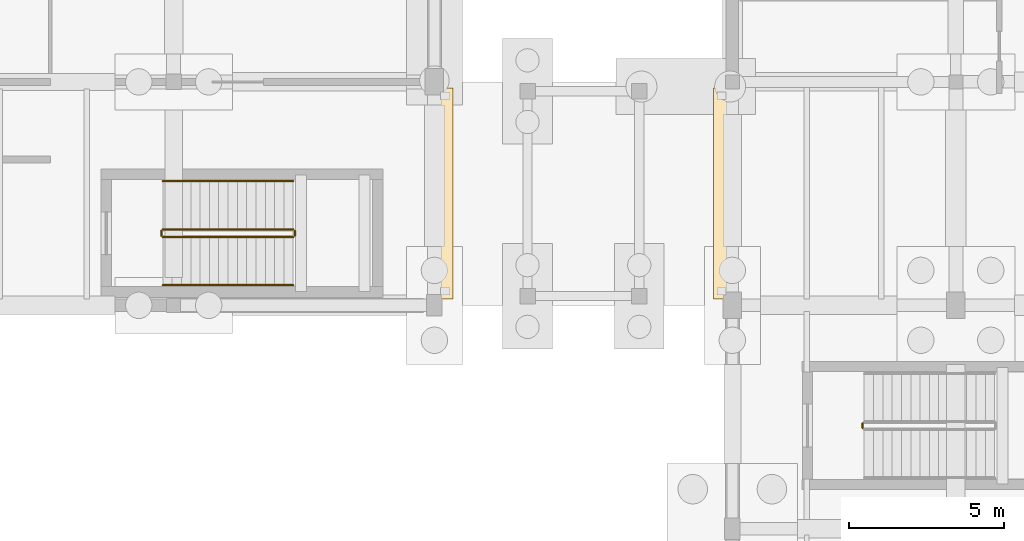
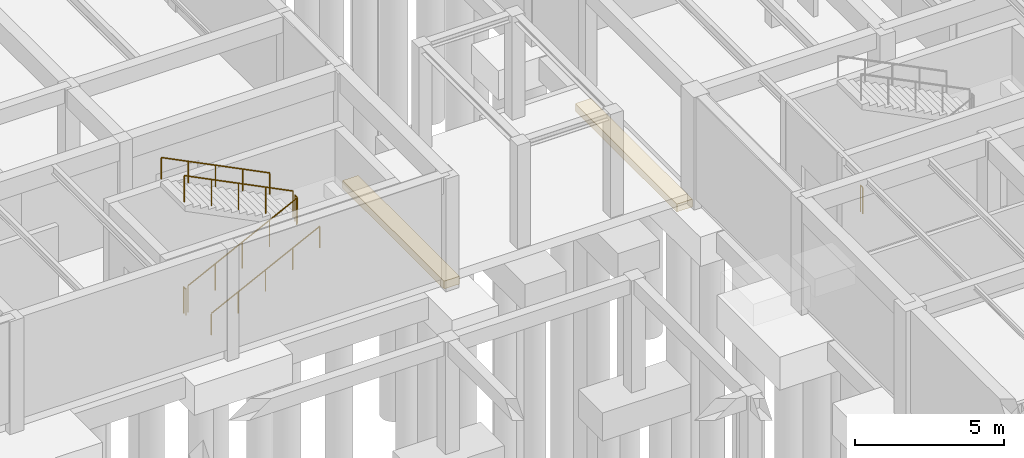
# One storey, part 59 of 63: 7 railings, 2 coverings.
"""IFC4 building model written with IfcOpenShell, lengths in metres."""

import ifcopenshell
import ifcopenshell.guid

model = None  # the IFC model being written
_history = None  # IfcOwnerHistory: only IFC2X3 demands one
_inside = {}  # id of a spatial element -> (the spatial element, [elements in it])
_under = {}  # id of a project, library or spatial element -> (it, [spatial elements below it])
_declared = {}  # id of a project -> (the project, [libraries it declares])
_typed = {}  # id of a type object -> (the type object, [elements of that type])
_made_of = {}  # id of a material, layer set ... -> (it, [elements and type objects made of it])


def new_model(schema):
    """Start an empty IFC model of exactly this schema.

    Asked for "IFC4X3", IfcOpenShell would pick the latest addendum, in which some entities
    have other attributes; the version numbers below select the first issue.
    IFC2X3 requires an IfcOwnerHistory on every rooted entity: one is made here for all.
    """
    global model, _history
    if schema == "IFC4X3":
        model = ifcopenshell.file(schema_version=(4, 3, 0, 0))
    else:
        model = ifcopenshell.file(schema=schema)
    _inside.clear()
    _under.clear()
    _declared.clear()
    _typed.clear()
    _made_of.clear()
    _history = None
    if model.schema == "IFC2X3":
        org = make("IfcOrganization", Name="unknown")
        user = make(
            "IfcPersonAndOrganization",
            ThePerson=make("IfcPerson", FamilyName="unknown"),
            TheOrganization=org,
        )
        app = make(
            "IfcApplication",
            ApplicationDeveloper=org,
            Version="unknown",
            ApplicationFullName="unknown",
            ApplicationIdentifier="unknown",
        )
        _history = make(
            "IfcOwnerHistory",
            OwningUser=user,
            OwningApplication=app,
            ChangeAction="ADDED",
            CreationDate=0,
        )
    return model


def make(cls, **values):
    """One entity of the class cls with the attributes given. An attribute that is None is left unset."""
    return model.create_entity(
        cls, **{name: value for name, value in values.items() if value is not None}
    )


def rooted(cls, **values):
    """An entity with a GlobalId (a new one), such as an element, a storey or a relation."""
    return make(cls, GlobalId=ifcopenshell.guid.new(), OwnerHistory=_history, **values)


def si_unit(unit_type, name, prefix=None):
    """IfcSIUnit, for example si_unit("LENGTHUNIT", "METRE", prefix="MILLI")."""
    return make("IfcSIUnit", UnitType=unit_type, Prefix=prefix, Name=name)


def assignment(units):
    """IfcUnitAssignment: the units of a project."""
    return None if units is None else make("IfcUnitAssignment", Units=units)


def point(xyz):
    """IfcCartesianPoint."""
    return None if xyz is None else make("IfcCartesianPoint", Coordinates=xyz)


def direction(xyz):
    """IfcDirection."""
    return None if xyz is None else make("IfcDirection", DirectionRatios=xyz)


def frame(location, z_axis=None, x_axis=None):
    """IfcAxis2Placement3D, a coordinate frame: its origin and axes. An axis left out is left unset."""
    return make(
        "IfcAxis2Placement3D",
        Location=point(location),
        Axis=direction(z_axis),
        RefDirection=direction(x_axis),
    )


def frame_2d(location, x_axis=None):
    """IfcAxis2Placement2D, a coordinate frame in the plane: its origin and x axis."""
    return make(
        "IfcAxis2Placement2D", Location=point(location), RefDirection=direction(x_axis)
    )


def origin():
    """The frame at (0, 0, 0) with its axes left unset."""
    return frame((0.0, 0.0, 0.0))


def origin_2d():
    """The frame at (0, 0) in the plane with its x axis left unset."""
    return frame_2d((0.0, 0.0))


def place(relative_to, where):
    """IfcLocalPlacement: puts the frame where relative to a parent placement (None: the world)."""
    return make(
        "IfcLocalPlacement", PlacementRelTo=relative_to, RelativePlacement=where
    )


def context(
    kind, dimensions, precision=None, world=None, true_north=None, identifier=None
):
    """IfcGeometricRepresentationContext, for example the 3D "Model" context."""
    return make(
        "IfcGeometricRepresentationContext",
        ContextIdentifier=identifier,
        ContextType=kind,
        CoordinateSpaceDimension=dimensions,
        Precision=precision,
        WorldCoordinateSystem=world,
        TrueNorth=true_north,
    )


def subcontext(parent, identifier, kind, view, scale=None):
    """IfcGeometricRepresentationSubContext, for example "Body" below "Model"."""
    return make(
        "IfcGeometricRepresentationSubContext",
        ContextIdentifier=identifier,
        ContextType=kind,
        ParentContext=parent,
        TargetScale=scale,
        TargetView=view,
    )


def project(units=None, contexts=None):
    """IfcProject with its units and contexts."""
    return rooted(
        "IfcProject",
        Name="project",
        RepresentationContexts=contexts,
        UnitsInContext=assignment(units),
    )


def spatial(cls, under=None, at=None, **own):
    """A site, building, storey or space (cls), placed at a placement, below another one or the project."""
    s = rooted(cls, ObjectPlacement=at, **own)
    if under is not None:
        _under.setdefault(under.id(), (under, []))[1].append(s)
    return s


def polyline(points):
    """IfcPolyline through the points."""
    return make("IfcPolyline", Points=[point(p) for p in points])


def profile(cls, at=None, kind="AREA", **sizes):
    """A parametric profile (cls). Its sizes go by their IFC names, for example OverallWidth=200.0."""
    return make(cls, ProfileType=kind, Position=at, **sizes)


def circle(**sizes):
    """IfcCircleProfileDef."""
    return profile("IfcCircleProfileDef", **sizes)


def outline(outer, holes=None, kind="AREA"):
    """IfcArbitraryClosedProfileDef: a profile drawn as a closed curve; with holes, ...WithVoids."""
    if holes is None:
        return make("IfcArbitraryClosedProfileDef", ProfileType=kind, OuterCurve=outer)
    return make(
        "IfcArbitraryProfileDefWithVoids",
        ProfileType=kind,
        OuterCurve=outer,
        InnerCurves=holes,
    )


def extrude(swept, where, along, depth):
    """IfcExtrudedAreaSolid: the profile swept, set in the frame where, extruded along a direction by depth."""
    return make(
        "IfcExtrudedAreaSolid",
        SweptArea=swept,
        Position=where,
        ExtrudedDirection=direction(along),
        Depth=depth,
    )


def shape(context_of_items, identifier, shape_type, items):
    """IfcShapeRepresentation: the items that make up one representation, for example the "Body"."""
    return make(
        "IfcShapeRepresentation",
        ContextOfItems=context_of_items,
        RepresentationIdentifier=identifier,
        RepresentationType=shape_type,
        Items=items,
    )


def material(Name=None, Category=None):
    """IfcMaterial."""
    return make("IfcMaterial", Name=Name, Category=Category)


def layer(
    of_material, thickness, ventilated=None, Name=None, Category=None, Priority=None
):
    """IfcMaterialLayer: one layer of a wall or slab, of a material (None: an air gap)."""
    return make(
        "IfcMaterialLayer",
        Material=of_material,
        LayerThickness=thickness,
        IsVentilated=ventilated,
        Name=Name,
        Category=Category,
        Priority=Priority,
    )


def layer_set(layers, Name=None):
    """IfcMaterialLayerSet."""
    return make("IfcMaterialLayerSet", MaterialLayers=layers, LayerSetName=Name)


def made_of(thing, what):
    """Note that an element or type object is made of a material, layer set ...; save() writes the relation."""
    if what is not None:
        _made_of.setdefault(what.id(), (what, []))[1].append(thing)
    return thing


def type_object(cls, material=None, **own):
    """A type object (cls), such as IfcWallType, which elements share."""
    return made_of(rooted(cls, **own), material)


def element(
    cls,
    number,
    at=None,
    inside=None,
    cuts=None,
    type_object=None,
    material=None,
    context=None,
    identifier="Body",
    shape_type=None,
    held_by="IfcProductDefinitionShape",
    body=None,
    shapes=None,
    **own,
):
    """One element of the class cls, such as IfcWall. Its Tag is "e" and its number.

    at: its placement. inside: the storey or other place that contains it. cuts: it is an
    opening in that element (IfcRelVoidsElement). A single representation is given by context,
    identifier, shape_type and body (its items); several are given by shapes. held_by: the class
    of the entity that holds the representations. save() writes the other relations.
    """
    e = rooted(cls, Tag="e%d" % number, ObjectPlacement=at, **own)
    if body is not None:
        shapes = [shape(context, identifier, shape_type, body)]
    if shapes is not None:
        e.Representation = make(held_by, Representations=shapes)
    if inside is not None:
        _inside.setdefault(inside.id(), (inside, []))[1].append(e)
    if cuts is not None:
        rooted(
            "IfcRelVoidsElement", RelatingBuildingElement=cuts, RelatedOpeningElement=e
        )
    if type_object is not None:
        _typed.setdefault(type_object.id(), (type_object, []))[1].append(e)
    return made_of(e, material)


def aggregate(whole, parts):
    """IfcRelAggregates: a whole, such as a stair, and the parts it consists of."""
    return rooted("IfcRelAggregates", RelatingObject=whole, RelatedObjects=parts)


def save(model, path):
    """Write the relations noted so far, then the file.

    IfcRelAggregates (storeys below a building ...), IfcRelContainedInSpatialStructure (elements
    in a storey), IfcRelDefinesByType, IfcRelAssociatesMaterial and IfcRelDeclares: one each for
    every whole, place, type object, material and project.
    """
    for whole, parts in _under.values():
        aggregate(whole, parts)
    for where, things in _inside.values():
        rooted(
            "IfcRelContainedInSpatialStructure",
            RelatedElements=things,
            RelatingStructure=where,
        )
    for kind, things in _typed.values():
        rooted("IfcRelDefinesByType", RelatedObjects=things, RelatingType=kind)
    for what, things in _made_of.values():
        rooted("IfcRelAssociatesMaterial", RelatedObjects=things, RelatingMaterial=what)
    for by, libraries in _declared.values():
        rooted("IfcRelDeclares", RelatingContext=by, RelatedDefinitions=libraries)
    model.write(path)


model = new_model("IFC4")

# Units and contexts
model_context = context("Model", 3, precision=1e-05, world=origin(), true_north=direction((0.0, 1.0)))
body_context = subcontext(model_context, "Body", "Model", "MODEL_VIEW")
ifc_project = project(units=[si_unit("LENGTHUNIT", "METRE"), si_unit("AREAUNIT", "SQUARE_METRE"), si_unit("VOLUMEUNIT", "CUBIC_METRE"), si_unit("PLANEANGLEUNIT", "RADIAN"), si_unit("MASSUNIT", "GRAM", prefix="KILO")], contexts=[model_context])

# Site, building, storey
site_placement = place(None, origin())
site = spatial("IfcSite", under=ifc_project, at=site_placement, CompositionType="ELEMENT")
building_placement = place(site_placement, origin())
building = spatial("IfcBuilding", under=site, at=building_placement, Name="Mazaris Harbour Polytechnic", CompositionType="ELEMENT")
storey_placement = place(building_placement, frame((0.0, 0.0, -4.5)))
storey = spatial("IfcBuildingStorey", under=building, at=storey_placement, Name="B1", CompositionType="ELEMENT", Elevation=-4.5)

# Coverings
ifc_material_1 = material(Name="Concrete C40/50", Category="concrete")
ifc_layer = layer(ifc_material_1, 0.320068359375, Name="Concrete C40/50")
ifc_layer_set = layer_set([ifc_layer], Name="Concrete C40/50")
covering_type = type_object("IfcCoveringType", Name="Bridge Bearing Corbel 600", PredefinedType="CLADDING", material=ifc_layer_set)
covering_1_placement = place(storey_placement, frame((0.0, 0.0, -0.764892578125)))
element("IfcCovering", 1, at=covering_1_placement, inside=storey, type_object=covering_type, Name="PB-E2 B1 600mm Bridge Bearing Seat Corbel W", PredefinedType="CLADDING", context=body_context, shape_type="SweptSolid", body=[
    extrude(outline(polyline([(112.800048828125, 75.800048828125), (113.39990234375, 75.800048828125), (113.39990234375, 82.60009765625), (112.800048828125, 82.60009765625), (112.800048828125, 75.800048828125)])), origin(), (0.0, 0.0, 1.0), 0.31982421875),
])
covering_2_placement = place(storey_placement, frame((0.0, 0.0, -0.764892578125)))
element("IfcCovering", 2, at=covering_2_placement, inside=storey, type_object=covering_type, Name="PB-E2 B1 600mm Bridge Bearing Seat Corbel E", PredefinedType="CLADDING", context=body_context, shape_type="SweptSolid", body=[
    extrude(outline(polyline([(121.800048828125, 75.800048828125), (122.39990234375, 75.800048828125), (122.39990234375, 82.60009765625), (121.800048828125, 82.60009765625), (121.800048828125, 75.800048828125)])), origin(), (0.0, 0.0, 1.0), 0.31982421875),
])

# Railings
ifc_material_2 = material(Name="Stainless Steel S355", Category="steel")
railing_type_1 = type_object("IfcRailingType", Name="Stair Wall Handrail 900", PredefinedType="HANDRAIL", material=ifc_material_2)
railing_1_placement = place(storey_placement, frame((104.050048828125, 76.25, 0.14990234375)))
element("IfcRailing", 3, at=railing_1_placement, inside=storey, type_object=railing_type_1, Name="B1 ST02 stair handrail 1", PredefinedType="HANDRAIL", context=body_context, shape_type="SweptSolid", body=[
    extrude(circle(Radius=0.02392578125, at=origin_2d()), frame((0.0, 0.0, 0.8759765625), z_axis=(0.894416792377, 0.0, 0.447234392142), x_axis=(0.0, 1.0, 0.0)), (0.0, 0.0, 1.0), 4.69580078125),
    extrude(circle(Radius=0.02099609375, at=origin_2d()), origin(), (0.0, 0.0, 1.0), 0.851806640625),
    extrude(circle(Radius=0.02099609375, at=origin_2d()), frame((1.050048828125, 0.0, 0.52490234375)), (0.0, 0.0, 1.0), 0.851806640625),
    extrude(circle(Radius=0.02099609375, at=origin_2d()), frame((2.10009765625, 0.0, 1.050048828125)), (0.0, 0.0, 1.0), 0.851806640625),
    extrude(circle(Radius=0.02099609375, at=origin_2d()), frame((3.14990234375, 0.0, 1.5751953125)), (0.0, 0.0, 1.0), 0.851806640625),
    extrude(circle(Radius=0.02099609375, at=origin_2d()), frame((4.199951171875, 0.0, 2.10009765625)), (0.0, 0.0, 1.0), 0.851806640625),
])
railing_2_placement = place(storey_placement, frame((108.25, 79.60009765625, 2.39990234375)))
element("IfcRailing", 4, at=railing_2_placement, inside=storey, type_object=railing_type_1, Name="B1 ST02 stair handrail 2", PredefinedType="HANDRAIL", context=body_context, shape_type="SweptSolid", body=[
    extrude(circle(Radius=0.02392578125, at=origin_2d()), frame((0.0, 0.0, 0.8759765625), z_axis=(-0.894416792377, 0.0, 0.447234392142), x_axis=(0.0, -1.0, 0.0)), (0.0, 0.0, 1.0), 4.69580078125),
    extrude(circle(Radius=0.02099609375, at=origin_2d()), origin(), (0.0, 0.0, 1.0), 0.851806640625),
    extrude(circle(Radius=0.02099609375, at=origin_2d()), frame((-1.050048828125, 0.0, 0.52490234375)), (0.0, 0.0, 1.0), 0.851806640625),
    extrude(circle(Radius=0.02099609375, at=origin_2d()), frame((-2.10009765625, 0.0, 1.050048828125)), (0.0, 0.0, 1.0), 0.851806640625),
    extrude(circle(Radius=0.02099609375, at=origin_2d()), frame((-3.14990234375, 0.0, 1.5751953125)), (0.0, 0.0, 1.0), 0.851806640625),
    extrude(circle(Radius=0.02099609375, at=origin_2d()), frame((-4.199951171875, 0.0, 2.10009765625)), (0.0, 0.0, 1.0), 0.851806640625),
])
ifc_material_3 = material(Name="Steel S355", Category="steel")
railing_type_2 = type_object("IfcRailingType", Name="Stair Well Guardrail 1100", PredefinedType="GUARDRAIL", material=ifc_material_3)
railing_3_placement = place(storey_placement, frame((104.050048828125, 77.800048828125, 0.14990234375)))
element("IfcRailing", 5, at=railing_3_placement, inside=storey, type_object=railing_type_2, Name="B1 ST02 stair guard 1", PredefinedType="GUARDRAIL", context=body_context, shape_type="SweptSolid", body=[
    extrude(circle(Radius=0.02392578125, at=origin_2d()), frame((0.0, 0.0, 1.076171875), z_axis=(0.894416792377, 0.0, 0.447234392142), x_axis=(0.0, 1.0, 0.0)), (0.0, 0.0, 1.0), 4.69580078125),
    extrude(circle(Radius=0.02099609375, at=origin_2d()), origin(), (0.0, 0.0, 1.0), 1.052001953125),
    extrude(circle(Radius=0.02099609375, at=origin_2d()), frame((1.050048828125, 0.0, 0.52490234375)), (0.0, 0.0, 1.0), 1.052001953125),
    extrude(circle(Radius=0.02099609375, at=origin_2d()), frame((2.10009765625, 0.0, 1.050048828125)), (0.0, 0.0, 1.0), 1.052001953125),
    extrude(circle(Radius=0.02099609375, at=origin_2d()), frame((3.14990234375, 0.0, 1.5751953125)), (0.0, 0.0, 1.0), 1.052001953125),
    extrude(circle(Radius=0.02099609375, at=origin_2d()), frame((4.199951171875, 0.0, 2.10009765625)), (0.0, 0.0, 1.0), 1.052001953125),
])
railing_4_placement = place(storey_placement, frame((108.300048828125, 77.85009765625, 2.25)))
element("IfcRailing", 6, at=railing_4_placement, inside=storey, type_object=railing_type_2, Name="B1 ST02 stair guard 2", PredefinedType="GUARDRAIL", context=body_context, shape_type="SweptSolid", body=[
    extrude(circle(Radius=0.02392578125, at=origin_2d()), frame((0.0, 0.0, 1.076171875), z_axis=(0.0, 1.0, 0.0), x_axis=(-1.0, 0.0, 0.0)), (0.0, 0.0, 1.0), 0.14990234375),
    extrude(circle(Radius=0.02099609375, at=origin_2d()), origin(), (0.0, 0.0, 1.0), 1.052001953125),
    extrude(circle(Radius=0.02099609375, at=origin_2d()), frame((0.0, 0.14990234375, 0.0)), (0.0, 0.0, 1.0), 1.052001953125),
])
railing_5_placement = place(storey_placement, frame((108.25, 78.050048828125, 2.39990234375)))
element("IfcRailing", 7, at=railing_5_placement, inside=storey, type_object=railing_type_2, Name="B1 ST02 stair guard 3", PredefinedType="GUARDRAIL", context=body_context, shape_type="SweptSolid", body=[
    extrude(circle(Radius=0.02392578125, at=origin_2d()), frame((0.0, 0.0, 1.076171875), z_axis=(-0.894416792377, 0.0, 0.447234392142), x_axis=(0.0, -1.0, 0.0)), (0.0, 0.0, 1.0), 4.69580078125),
    extrude(circle(Radius=0.02099609375, at=origin_2d()), origin(), (0.0, 0.0, 1.0), 1.052001953125),
    extrude(circle(Radius=0.02099609375, at=origin_2d()), frame((-1.050048828125, 0.0, 0.52490234375)), (0.0, 0.0, 1.0), 1.052001953125),
    extrude(circle(Radius=0.02099609375, at=origin_2d()), frame((-2.10009765625, 0.0, 1.050048828125)), (0.0, 0.0, 1.0), 1.052001953125),
    extrude(circle(Radius=0.02099609375, at=origin_2d()), frame((-3.14990234375, 0.0, 1.5751953125)), (0.0, 0.0, 1.0), 1.052001953125),
    extrude(circle(Radius=0.02099609375, at=origin_2d()), frame((-4.199951171875, 0.0, 2.10009765625)), (0.0, 0.0, 1.0), 1.052001953125),
])
railing_6_placement = place(storey_placement, frame((104.0, 77.85009765625, 0.0)))
element("IfcRailing", 8, at=railing_6_placement, inside=storey, type_object=railing_type_2, Name="B1 ST02 stair guard 4", PredefinedType="GUARDRAIL", context=body_context, shape_type="SweptSolid", body=[
    extrude(circle(Radius=0.02392578125, at=origin_2d()), frame((0.0, 0.0, 1.076171875), z_axis=(0.0, 1.0, 0.0), x_axis=(-1.0, 0.0, 0.0)), (0.0, 0.0, 1.0), 0.14990234375),
    extrude(circle(Radius=0.02099609375, at=origin_2d()), origin(), (0.0, 0.0, 1.0), 1.052001953125),
    extrude(circle(Radius=0.02099609375, at=origin_2d()), frame((0.0, 0.14990234375, 0.0)), (0.0, 0.0, 1.0), 1.052001953125),
])
railing_7_placement = place(storey_placement, frame((126.60009765625, 71.64990234375, 0.0)))
element("IfcRailing", 9, at=railing_7_placement, inside=storey, type_object=railing_type_2, Name="B1 ST09 stair guard 4", PredefinedType="GUARDRAIL", context=body_context, shape_type="SweptSolid", body=[
    extrude(circle(Radius=0.02392578125, at=origin_2d()), frame((0.0, 0.0, 1.076171875), z_axis=(0.0, 1.0, 0.0), x_axis=(-1.0, 0.0, 0.0)), (0.0, 0.0, 1.0), 0.150146484375),
    extrude(circle(Radius=0.02099609375, at=origin_2d()), origin(), (0.0, 0.0, 1.0), 1.052001953125),
    extrude(circle(Radius=0.02099609375, at=origin_2d()), frame((0.0, 0.150146484375, 0.0)), (0.0, 0.0, 1.0), 1.052001953125),
])

save(model, "model.ifc")
